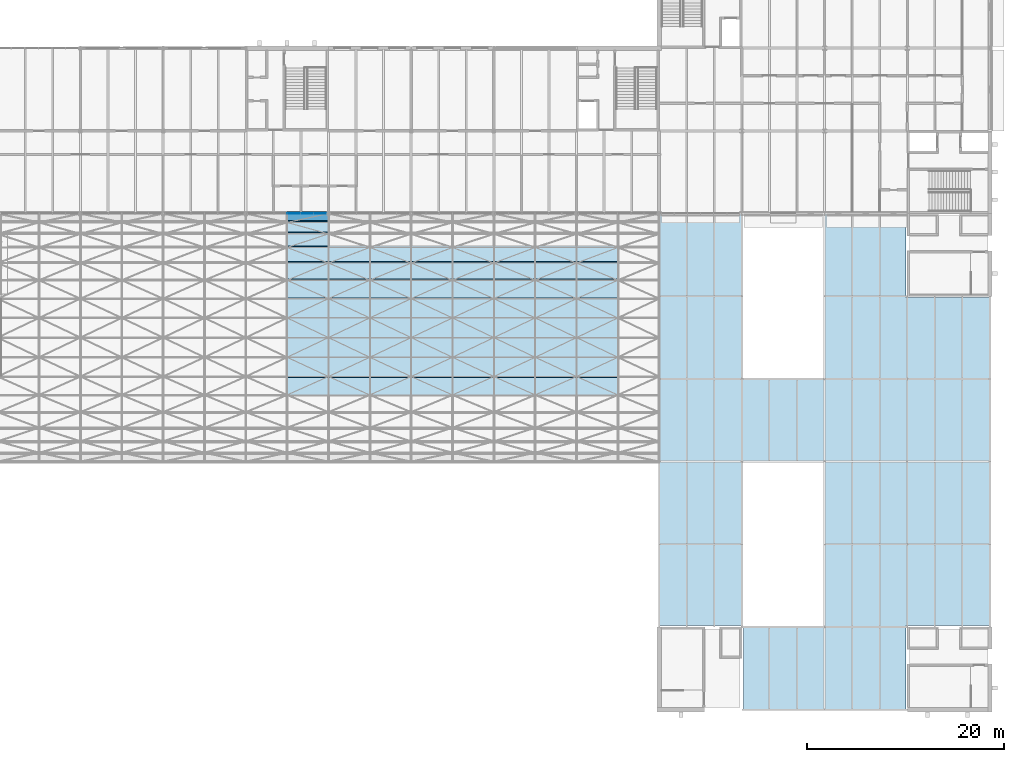
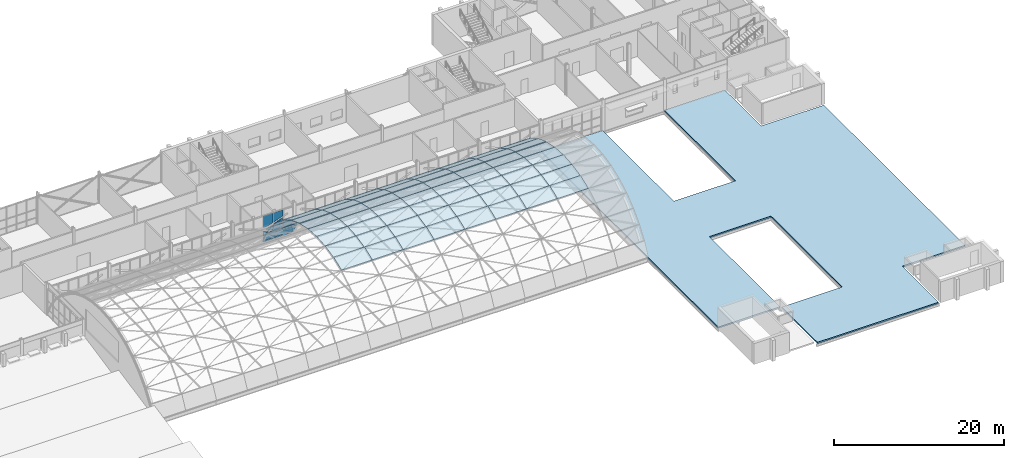
# One storey, part 76 of 121: 78 plates, 1 slab, 1 element without a shape of its own.
"""IFC4 building model written with IfcOpenShell, lengths in metres."""

from ifc_helpers import new_model, si_unit, direction, frame, origin, place, context, subcontext, project, spatial, polyline, outline, extrude, material, layer, layer_set, type_object, element, aggregate, save


model = new_model("IFC4")

# Units and contexts
model_context = context("Model", 3, precision=1e-05, world=origin(), true_north=direction((0.0, 1.0)))
body_context = subcontext(model_context, "Body", "Model", "MODEL_VIEW")
ifc_project = project(units=[si_unit("LENGTHUNIT", "METRE"), si_unit("AREAUNIT", "SQUARE_METRE"), si_unit("VOLUMEUNIT", "CUBIC_METRE"), si_unit("PLANEANGLEUNIT", "RADIAN"), si_unit("MASSUNIT", "GRAM", prefix="KILO")], contexts=[model_context])

# Site, building, storey
site_placement = place(None, origin())
site = spatial("IfcSite", under=ifc_project, at=site_placement, CompositionType="ELEMENT")
building_placement = place(site_placement, origin())
building = spatial("IfcBuilding", under=site, at=building_placement, Name="Ardhachandra Cancer Care Centre", CompositionType="ELEMENT")
storey_placement = place(building_placement, frame((0.0, 0.0, 9.0)))
storey = spatial("IfcBuildingStorey", under=building, at=storey_placement, Name="L02", CompositionType="ELEMENT", Elevation=9.0)

# Slab
ifc_material_1 = material(Name="Composite slab Concrete M30 on steel deck", Category="concrete")
ifc_layer_1 = layer(ifc_material_1, 0.199951171875)
ifc_layer_set_1 = layer_set([ifc_layer_1], Name="Composite slab Concrete M30 on steel deck")
slab_type = type_object("IfcSlabType", Name="Composite roof slab 200", PredefinedType="ROOF", material=ifc_layer_set_1)
slab_placement = place(storey_placement, frame((0.0, 0.0, -0.199951171875)))
element("IfcSlab", 1, at=slab_placement, inside=storey, type_object=slab_type, Name="Roof slab V4", PredefinedType="ROOF", context=body_context, shape_type="SweptSolid", body=[
    extrude(outline(polyline([(145.199951171875, 71.25), (136.64990234375, 71.25), (136.64990234375, 79.64990234375), (136.64990234375, 79.800048828125), (128.39990234375, 79.800048828125), (128.39990234375, 63.0), (120.0, 63.0), (120.0, 79.800048828125), (111.60009765625, 79.800048828125), (111.60009765625, 37.949951171875), (120.0, 37.949951171875), (120.0, 54.60009765625), (128.39990234375, 54.60009765625), (128.39990234375, 37.800048828125), (120.14990234375, 37.800048828125), (120.14990234375, 29.39990234375), (136.64990234375, 29.39990234375), (136.64990234375, 37.949951171875), (145.199951171875, 37.949951171875), (145.199951171875, 71.25)])), origin(), (0.0, 0.0, 1.0), 0.199951171875),
])

# Curtain wall, plates
ifc_material_2 = material(Name="Aluminium extrusion", Category="aluminium")
ifc_layer_2 = layer(ifc_material_2, 0.14990234375)
ifc_layer_set_2 = layer_set([ifc_layer_2], Name="Aluminium extrusion")
curtain_wall_type = type_object("IfcCurtainWallType", Name="Curtain wall run", PredefinedType="NOTDEFINED", material=ifc_layer_set_2)
curtain_wall_placement = place(storey_placement, origin())
curtain_wall = element("IfcCurtainWall", 2, at=curtain_wall_placement, inside=storey, type_object=curtain_wall_type, Name="Curtain wall L02 s/0069600_0079800", PredefinedType="NOTDEFINED")
ifc_material_3 = material(Name="Low-iron double-glazed unit")
ifc_layer_3 = layer(ifc_material_3, 0.028076171875)
ifc_layer_set_3 = layer_set([ifc_layer_3], Name="Low-iron double-glazed unit")
plate_type_1 = type_object("IfcPlateType", Name="Curtain wall glazing 28", PredefinedType="CURTAIN_PANEL", material=ifc_layer_set_3)
plate_1_placement = place(storey_placement, frame((73.830078125, 79.800048828125, 0.06005859375), z_axis=(0.0, 1.0, 0.0), x_axis=(0.0, 0.0, 1.0)))
plate_1 = element("IfcPlate", 3, at=plate_1_placement, type_object=plate_type_1, Name="CW panel 4.1", PredefinedType="CURTAIN_PANEL", context=body_context, shape_type="SweptSolid", body=[
    extrude(outline(polyline([(0.0, 0.0), (0.81005859375, 0.0), (0.81005859375, 1.2900390625), (0.0, 1.2900390625), (0.0, 0.0)])), origin(), (0.0, 0.0, 1.0), 0.028076171875),
])
plate_2_placement = place(storey_placement, frame((75.1201171875, 79.800048828125, 0.929931640625), z_axis=(0.0, 1.0, 0.0), x_axis=(-1.0, 0.0, 0.0)))
plate_2 = element("IfcPlate", 4, at=plate_2_placement, type_object=plate_type_1, Name="CW panel 4.2", PredefinedType="CURTAIN_PANEL", context=body_context, shape_type="SweptSolid", body=[
    extrude(outline(polyline([(0.0, 0.0), (1.2900390625, 0.0), (1.2900390625, 0.718994140625), (0.0, 0.16943359375), (0.0, 0.0)])), origin(), (0.0, 0.0, 1.0), 0.028076171875),
])
plate_3_placement = place(storey_placement, frame((75.1201171875, 79.800048828125, 2.070068359375), z_axis=(0.0, 1.0, 0.0), x_axis=(0.0, 0.0, -1.0)))
plate_3 = element("IfcPlate", 5, at=plate_3_placement, type_object=plate_type_1, Name="CW panel 4.2", PredefinedType="CURTAIN_PANEL", context=body_context, shape_type="SweptSolid", body=[
    extrude(outline(polyline([(0.0, 0.0), (0.716064453125, 0.0), (0.285888671875, 1.009765625), (0.0, 0.2763671875), (0.0, 0.0)])), frame((0.0, 0.0, -0.028076171875)), (0.0, 0.0, 1.0), 0.028076171875),
])
plate_4_placement = place(storey_placement, frame((73.830078125, 79.800048828125, 2.1298828125), z_axis=(0.0, 1.0, 0.0), x_axis=(0.0, 0.0, 1.0)))
plate_4 = element("IfcPlate", 6, at=plate_4_placement, type_object=plate_type_1, Name="CW panel 4.3", PredefinedType="CURTAIN_PANEL", context=body_context, shape_type="SweptSolid", body=[
    extrude(outline(polyline([(0.0, 0.0), (1.696044921875, 0.0), (1.696044921875, 1.2900390625), (0.29931640625, 1.2900390625), (0.0, 0.5224609375), (0.0, 0.0)])), origin(), (0.0, 0.0, 1.0), 0.028076171875),
])
plate_5_placement = place(storey_placement, frame((76.469970703125, 79.800048828125, 0.06005859375), z_axis=(0.0, 1.0, 0.0), x_axis=(-1.0, 0.0, 0.0)))
plate_5 = element("IfcPlate", 7, at=plate_5_placement, type_object=plate_type_1, Name="CW panel 5.1", PredefinedType="CURTAIN_PANEL", context=body_context, shape_type="SweptSolid", body=[
    extrude(outline(polyline([(0.0, 0.0), (1.2900390625, 0.0), (1.2900390625, 0.81005859375), (0.8115234375, 0.81005859375), (0.0, 0.46435546875), (0.0, 0.0)])), origin(), (0.0, 0.0, 1.0), 0.028076171875),
])
plate_6_placement = place(storey_placement, frame((75.179931640625, 79.800048828125, 2.070068359375), z_axis=(0.0, 1.0, 0.0), x_axis=(1.0, 0.0, 0.0)))
plate_6 = element("IfcPlate", 8, at=plate_6_placement, type_object=plate_type_1, Name="CW panel 5.2", PredefinedType="CURTAIN_PANEL", context=body_context, shape_type="SweptSolid", body=[
    extrude(outline(polyline([(0.0, 0.0), (1.2900390625, 0.0), (1.2900390625, 1.14013671875), (0.935546875, 1.14013671875), (0.0, 0.74169921875), (0.0, 0.0)])), origin(), (0.0, 0.0, 1.0), 0.028076171875),
])
plate_7_placement = place(storey_placement, frame((76.469970703125, 79.800048828125, 2.1298828125), z_axis=(0.0, 1.0, 0.0), x_axis=(-1.0, 0.0, 0.0)))
plate_7 = element("IfcPlate", 9, at=plate_7_placement, type_object=plate_type_1, Name="CW panel 5.3", PredefinedType="CURTAIN_PANEL", context=body_context, shape_type="SweptSolid", body=[
    extrude(outline(polyline([(0.0, 0.0), (1.2900390625, 0.0), (1.2900390625, 0.0712890625), (0.0, 0.573974609375), (0.0, 0.0)])), origin(), (0.0, 0.0, 1.0), 0.028076171875),
])
plate_8_placement = place(storey_placement, frame((75.179931640625, 79.800048828125, 3.825927734375), z_axis=(0.0, 1.0, 0.0), x_axis=(1.0, 0.0, 0.0)))
plate_8 = element("IfcPlate", 10, at=plate_8_placement, type_object=plate_type_1, Name="CW panel 5.3", PredefinedType="CURTAIN_PANEL", context=body_context, shape_type="SweptSolid", body=[
    extrude(outline(polyline([(0.0, 0.0), (1.2900390625, 0.0), (1.2900390625, 0.87060546875), (0.0, 1.373291015625), (0.0, 0.0)])), frame((0.0, 0.0, -0.028076171875)), (0.0, 0.0, 1.0), 0.028076171875),
])
plate_9_placement = place(storey_placement, frame((76.530029296875, 79.800048828125, 0.8701171875), z_axis=(0.0, 1.0, 0.0), x_axis=(1.0, 0.0, 0.0)))
plate_9 = element("IfcPlate", 11, at=plate_9_placement, type_object=plate_type_1, Name="CW panel 6.1", PredefinedType="CURTAIN_PANEL", context=body_context, shape_type="SweptSolid", body=[
    extrude(outline(polyline([(0.0, 0.0), (1.260009765625, 0.0), (1.260009765625, 0.6533203125), (0.0, 0.11669921875), (0.0, 0.0)])), origin(), (0.0, 0.0, 1.0), 0.028076171875),
])
plate_10_placement = place(storey_placement, frame((76.530029296875, 79.800048828125, 0.06005859375), z_axis=(0.0, 1.0, 0.0), x_axis=(0.0, 0.0, 1.0)))
plate_10 = element("IfcPlate", 12, at=plate_10_placement, type_object=plate_type_1, Name="CW panel 6.1", PredefinedType="CURTAIN_PANEL", context=body_context, shape_type="SweptSolid", body=[
    extrude(outline(polyline([(0.0, 0.0), (0.438720703125, 0.0), (0.0, 1.0302734375), (0.0, 0.0)])), frame((0.0, 0.0, -0.028076171875)), (0.0, 0.0, 1.0), 0.028076171875),
])
plate_11_placement = place(storey_placement, frame((76.530029296875, 79.800048828125, 0.929931640625), z_axis=(0.0, 1.0, 0.0), x_axis=(0.0, 0.0, 1.0)))
plate_11 = element("IfcPlate", 13, at=plate_11_placement, type_object=plate_type_1, Name="CW panel 6.2", PredefinedType="CURTAIN_PANEL", context=body_context, shape_type="SweptSolid", body=[
    extrude(outline(polyline([(0.0, 0.0), (1.14013671875, 0.0), (1.14013671875, 1.260009765625), (0.0, 1.260009765625), (0.0, 0.0)])), origin(), (0.0, 0.0, 1.0), 0.028076171875),
])
aggregate(curtain_wall, [plate_1, plate_2, plate_3, plate_4, plate_5, plate_6, plate_7, plate_8, plate_9, plate_10, plate_11])

# Plates
ifc_material_4 = material(Name="Laminated heat-strengthened double-glazed unit")
ifc_layer_4 = layer(ifc_material_4, 0.035888671875)
ifc_layer_set_4 = layer_set([ifc_layer_4], Name="Laminated heat-strengthened double-glazed unit")
plate_type_2 = type_object("IfcPlateType", Name="Gridshell glazing 36", PredefinedType="SHEET", material=ifc_layer_set_4)
for number, where, z_axis, x_axis, name in (
    (14, (73.800048828125, 63.2177734375, 7.93359375), (0.0, -0.218735449514, 0.975784199055), (1.0, 0.0, 0.0), "Glazed cell H 8.7"),
    (15, (73.800048828125, 65.191650390625, 8.374755859375), (0.0, -0.073436541071, 0.997299891926), (1.0, 0.0, 0.0), "Glazed cell H 8.8"),
    (16, (73.800048828125, 67.208984375, 8.52197265625), (0.0, 0.073436541071, 0.997299891926), (1.0, 0.0, 0.0), "Glazed cell H 8.9"),
):
    element("IfcPlate", number, at=place(storey_placement, frame(where, z_axis=z_axis, x_axis=x_axis)), inside=storey, type_object=plate_type_2, Name=name, PredefinedType="SHEET", context=body_context, shape_type="SweptSolid", body=[
        extrude(outline(polyline([(0.0, 0.0), (4.199951171875, 0.0), (4.199951171875, 2.004638671875), (0.0, 2.004638671875), (0.0, 0.0)])), origin(), (0.0, 0.0, 1.0), 0.035888671875),
    ])
plate_12_placement = place(storey_placement, frame((73.800048828125, 69.22607421875, 8.3720703125), z_axis=(0.0, 0.218709457766, 0.9757900251), x_axis=(1.0, 0.0, 0.0)))
element("IfcPlate", 17, at=plate_12_placement, inside=storey, type_object=plate_type_2, Name="Glazed cell H 8.10", PredefinedType="SHEET", context=body_context, shape_type="SweptSolid", body=[
    extrude(outline(polyline([(0.0, 0.0), (4.199951171875, 0.0), (4.199951171875, 2.0048828125), (0.0, 2.0048828125), (0.0, 0.0)])), origin(), (0.0, 0.0, 1.0), 0.035888671875),
])
for number, where, z_axis, x_axis, name in (
    (18, (78.0, 63.2177734375, 7.93359375), (0.0, -0.218735449514, 0.975784199055), (1.0, 0.0, 0.0), "Glazed cell H 9.7"),
    (19, (78.0, 65.191650390625, 8.374755859375), (0.0, -0.073436541071, 0.997299891926), (1.0, 0.0, 0.0), "Glazed cell H 9.8"),
    (20, (78.0, 67.208984375, 8.52197265625), (0.0, 0.073436541071, 0.997299891926), (1.0, 0.0, 0.0), "Glazed cell H 9.9"),
):
    element("IfcPlate", number, at=place(storey_placement, frame(where, z_axis=z_axis, x_axis=x_axis)), inside=storey, type_object=plate_type_2, Name=name, PredefinedType="SHEET", context=body_context, shape_type="SweptSolid", body=[
        extrude(outline(polyline([(0.0, 0.0), (4.199951171875, 0.0), (4.199951171875, 2.004638671875), (0.0, 2.004638671875), (0.0, 0.0)])), origin(), (0.0, 0.0, 1.0), 0.035888671875),
    ])
plate_13_placement = place(storey_placement, frame((78.0, 69.22607421875, 8.3720703125), z_axis=(0.0, 0.218709457766, 0.9757900251), x_axis=(1.0, 0.0, 0.0)))
element("IfcPlate", 21, at=plate_13_placement, inside=storey, type_object=plate_type_2, Name="Glazed cell H 9.10", PredefinedType="SHEET", context=body_context, shape_type="SweptSolid", body=[
    extrude(outline(polyline([(0.0, 0.0), (4.199951171875, 0.0), (4.199951171875, 2.0048828125), (0.0, 2.0048828125), (0.0, 0.0)])), origin(), (0.0, 0.0, 1.0), 0.035888671875),
])
for number, where, z_axis, x_axis, name in (
    (22, (82.199951171875, 63.2177734375, 7.93359375), (0.0, -0.218735449514, 0.975784199055), (1.0, 0.0, 0.0), "Glazed cell H 10.7"),
    (23, (82.199951171875, 65.191650390625, 8.374755859375), (0.0, -0.073436541071, 0.997299891926), (1.0, 0.0, 0.0), "Glazed cell H 10.8"),
    (24, (82.199951171875, 67.208984375, 8.52197265625), (0.0, 0.073436541071, 0.997299891926), (1.0, 0.0, 0.0), "Glazed cell H 10.9"),
):
    element("IfcPlate", number, at=place(storey_placement, frame(where, z_axis=z_axis, x_axis=x_axis)), inside=storey, type_object=plate_type_2, Name=name, PredefinedType="SHEET", context=body_context, shape_type="SweptSolid", body=[
        extrude(outline(polyline([(0.0, 0.0), (4.199951171875, 0.0), (4.199951171875, 2.004638671875), (0.0, 2.004638671875), (0.0, 0.0)])), origin(), (0.0, 0.0, 1.0), 0.035888671875),
    ])
plate_14_placement = place(storey_placement, frame((82.199951171875, 69.22607421875, 8.3720703125), z_axis=(0.0, 0.218709457766, 0.9757900251), x_axis=(1.0, 0.0, 0.0)))
element("IfcPlate", 25, at=plate_14_placement, inside=storey, type_object=plate_type_2, Name="Glazed cell H 10.10", PredefinedType="SHEET", context=body_context, shape_type="SweptSolid", body=[
    extrude(outline(polyline([(0.0, 0.0), (4.199951171875, 0.0), (4.199951171875, 2.0048828125), (0.0, 2.0048828125), (0.0, 0.0)])), origin(), (0.0, 0.0, 1.0), 0.035888671875),
])
for number, where, z_axis, x_axis, name in (
    (26, (86.39990234375, 63.2177734375, 7.93359375), (0.0, -0.218735449514, 0.975784199055), (1.0, 0.0, 0.0), "Glazed cell H 11.7"),
    (27, (86.39990234375, 65.191650390625, 8.374755859375), (0.0, -0.073436541071, 0.997299891926), (1.0, 0.0, 0.0), "Glazed cell H 11.8"),
    (28, (86.39990234375, 67.208984375, 8.52197265625), (0.0, 0.073436541071, 0.997299891926), (1.0, 0.0, 0.0), "Glazed cell H 11.9"),
):
    element("IfcPlate", number, at=place(storey_placement, frame(where, z_axis=z_axis, x_axis=x_axis)), inside=storey, type_object=plate_type_2, Name=name, PredefinedType="SHEET", context=body_context, shape_type="SweptSolid", body=[
        extrude(outline(polyline([(0.0, 0.0), (4.2001953125, 0.0), (4.2001953125, 2.004638671875), (0.0, 2.004638671875), (0.0, 0.0)])), origin(), (0.0, 0.0, 1.0), 0.035888671875),
    ])
plate_15_placement = place(storey_placement, frame((86.39990234375, 69.22607421875, 8.3720703125), z_axis=(0.0, 0.218709457766, 0.9757900251), x_axis=(1.0, 0.0, 0.0)))
element("IfcPlate", 29, at=plate_15_placement, inside=storey, type_object=plate_type_2, Name="Glazed cell H 11.10", PredefinedType="SHEET", context=body_context, shape_type="SweptSolid", body=[
    extrude(outline(polyline([(0.0, 0.0), (4.2001953125, 0.0), (4.2001953125, 2.0048828125), (0.0, 2.0048828125), (0.0, 0.0)])), origin(), (0.0, 0.0, 1.0), 0.035888671875),
])
for number, where, z_axis, x_axis, name in (
    (30, (90.60009765625, 63.2177734375, 7.93359375), (0.0, -0.218735449514, 0.975784199055), (1.0, 0.0, 0.0), "Glazed cell H 12.7"),
    (31, (90.60009765625, 65.191650390625, 8.374755859375), (0.0, -0.073436541071, 0.997299891926), (1.0, 0.0, 0.0), "Glazed cell H 12.8"),
    (32, (90.60009765625, 67.208984375, 8.52197265625), (0.0, 0.073436541071, 0.997299891926), (1.0, 0.0, 0.0), "Glazed cell H 12.9"),
):
    element("IfcPlate", number, at=place(storey_placement, frame(where, z_axis=z_axis, x_axis=x_axis)), inside=storey, type_object=plate_type_2, Name=name, PredefinedType="SHEET", context=body_context, shape_type="SweptSolid", body=[
        extrude(outline(polyline([(0.0, 0.0), (4.199951171875, 0.0), (4.199951171875, 2.004638671875), (0.0, 2.004638671875), (0.0, 0.0)])), origin(), (0.0, 0.0, 1.0), 0.035888671875),
    ])
plate_16_placement = place(storey_placement, frame((90.60009765625, 69.22607421875, 8.3720703125), z_axis=(0.0, 0.218709457766, 0.9757900251), x_axis=(1.0, 0.0, 0.0)))
element("IfcPlate", 33, at=plate_16_placement, inside=storey, type_object=plate_type_2, Name="Glazed cell H 12.10", PredefinedType="SHEET", context=body_context, shape_type="SweptSolid", body=[
    extrude(outline(polyline([(0.0, 0.0), (4.199951171875, 0.0), (4.199951171875, 2.0048828125), (0.0, 2.0048828125), (0.0, 0.0)])), origin(), (0.0, 0.0, 1.0), 0.035888671875),
])
for number, where, z_axis, x_axis, name in (
    (34, (94.800048828125, 63.2177734375, 7.93359375), (0.0, -0.218735449514, 0.975784199055), (1.0, 0.0, 0.0), "Glazed cell H 13.7"),
    (35, (94.800048828125, 65.191650390625, 8.374755859375), (0.0, -0.073436541071, 0.997299891926), (1.0, 0.0, 0.0), "Glazed cell H 13.8"),
    (36, (94.800048828125, 67.208984375, 8.52197265625), (0.0, 0.073436541071, 0.997299891926), (1.0, 0.0, 0.0), "Glazed cell H 13.9"),
):
    element("IfcPlate", number, at=place(storey_placement, frame(where, z_axis=z_axis, x_axis=x_axis)), inside=storey, type_object=plate_type_2, Name=name, PredefinedType="SHEET", context=body_context, shape_type="SweptSolid", body=[
        extrude(outline(polyline([(0.0, 0.0), (4.199951171875, 0.0), (4.199951171875, 2.004638671875), (0.0, 2.004638671875), (0.0, 0.0)])), origin(), (0.0, 0.0, 1.0), 0.035888671875),
    ])
plate_17_placement = place(storey_placement, frame((94.800048828125, 69.22607421875, 8.3720703125), z_axis=(0.0, 0.218709457766, 0.9757900251), x_axis=(1.0, 0.0, 0.0)))
element("IfcPlate", 37, at=plate_17_placement, inside=storey, type_object=plate_type_2, Name="Glazed cell H 13.10", PredefinedType="SHEET", context=body_context, shape_type="SweptSolid", body=[
    extrude(outline(polyline([(0.0, 0.0), (4.199951171875, 0.0), (4.199951171875, 2.0048828125), (0.0, 2.0048828125), (0.0, 0.0)])), origin(), (0.0, 0.0, 1.0), 0.035888671875),
])
for number, where, z_axis, x_axis, name in (
    (38, (99.0, 63.2177734375, 7.93359375), (0.0, -0.218735449514, 0.975784199055), (1.0, 0.0, 0.0), "Glazed cell H 14.7"),
    (39, (99.0, 65.191650390625, 8.374755859375), (0.0, -0.073436541071, 0.997299891926), (1.0, 0.0, 0.0), "Glazed cell H 14.8"),
    (40, (99.0, 67.208984375, 8.52197265625), (0.0, 0.073436541071, 0.997299891926), (1.0, 0.0, 0.0), "Glazed cell H 14.9"),
):
    element("IfcPlate", number, at=place(storey_placement, frame(where, z_axis=z_axis, x_axis=x_axis)), inside=storey, type_object=plate_type_2, Name=name, PredefinedType="SHEET", context=body_context, shape_type="SweptSolid", body=[
        extrude(outline(polyline([(0.0, 0.0), (4.199951171875, 0.0), (4.199951171875, 2.004638671875), (0.0, 2.004638671875), (0.0, 0.0)])), origin(), (0.0, 0.0, 1.0), 0.035888671875),
    ])
plate_18_placement = place(storey_placement, frame((99.0, 69.22607421875, 8.3720703125), z_axis=(0.0, 0.218709457766, 0.9757900251), x_axis=(1.0, 0.0, 0.0)))
element("IfcPlate", 41, at=plate_18_placement, inside=storey, type_object=plate_type_2, Name="Glazed cell H 14.10", PredefinedType="SHEET", context=body_context, shape_type="SweptSolid", body=[
    extrude(outline(polyline([(0.0, 0.0), (4.199951171875, 0.0), (4.199951171875, 2.0048828125), (0.0, 2.0048828125), (0.0, 0.0)])), origin(), (0.0, 0.0, 1.0), 0.035888671875),
])
for number, where, z_axis, x_axis, name in (
    (42, (103.199951171875, 63.2177734375, 7.93359375), (0.0, -0.218735449514, 0.975784199055), (1.0, 0.0, 0.0), "Glazed cell H 15.7"),
    (43, (103.199951171875, 65.191650390625, 8.374755859375), (0.0, -0.073436541071, 0.997299891926), (1.0, 0.0, 0.0), "Glazed cell H 15.8"),
    (44, (103.199951171875, 67.208984375, 8.52197265625), (0.0, 0.073436541071, 0.997299891926), (1.0, 0.0, 0.0), "Glazed cell H 15.9"),
):
    element("IfcPlate", number, at=place(storey_placement, frame(where, z_axis=z_axis, x_axis=x_axis)), inside=storey, type_object=plate_type_2, Name=name, PredefinedType="SHEET", context=body_context, shape_type="SweptSolid", body=[
        extrude(outline(polyline([(0.0, 0.0), (4.199951171875, 0.0), (4.199951171875, 2.004638671875), (0.0, 2.004638671875), (0.0, 0.0)])), origin(), (0.0, 0.0, 1.0), 0.035888671875),
    ])
plate_19_placement = place(storey_placement, frame((103.199951171875, 69.22607421875, 8.3720703125), z_axis=(0.0, 0.218709457766, 0.9757900251), x_axis=(1.0, 0.0, 0.0)))
element("IfcPlate", 45, at=plate_19_placement, inside=storey, type_object=plate_type_2, Name="Glazed cell H 15.10", PredefinedType="SHEET", context=body_context, shape_type="SweptSolid", body=[
    extrude(outline(polyline([(0.0, 0.0), (4.199951171875, 0.0), (4.199951171875, 2.0048828125), (0.0, 2.0048828125), (0.0, 0.0)])), origin(), (0.0, 0.0, 1.0), 0.035888671875),
])
ifc_material_5 = material(Name="Insulated metal roof panel (galvalume skins, PIR core)")
ifc_layer_5 = layer(ifc_material_5, 0.10009765625)
ifc_layer_set_5 = layer_set([ifc_layer_5], Name="Insulated metal roof panel (galvalume skins, PIR core)")
plate_type_3 = type_object("IfcPlateType", Name="Gridshell insulated panel 100", PredefinedType="SHEET", material=ifc_layer_set_5)
for number, where, z_axis, x_axis, name in (
    (46, (73.800048828125, 61.32958984375, 7.2080078125), (0.0, -0.359370750226, 0.93319486919), (1.0, 0.0, 0.0), "Roof cell H 8.6"),
    (47, (73.800048828125, 71.199462890625, 7.928466796875), (0.0, 0.359370750226, 0.93319486919), (1.0, 0.0, 0.0), "Roof cell H 8.11"),
):
    element("IfcPlate", number, at=place(storey_placement, frame(where, z_axis=z_axis, x_axis=x_axis)), inside=storey, type_object=plate_type_3, Name=name, PredefinedType="SHEET", context=body_context, shape_type="SweptSolid", body=[
        extrude(outline(polyline([(0.0, 0.0), (4.199951171875, 0.0), (4.199951171875, 2.0048828125), (0.0, 2.0048828125), (0.0, 0.0)])), origin(), (0.0, 0.0, 1.0), 0.10009765625),
    ])
plate_20_placement = place(storey_placement, frame((73.800048828125, 73.086669921875, 7.200439453125), z_axis=(0.0, 0.492133501312, 0.870519739515), x_axis=(1.0, 0.0, 0.0)))
element("IfcPlate", 48, at=plate_20_placement, inside=storey, type_object=plate_type_3, Name="Roof cell H 8.12", PredefinedType="SHEET", context=body_context, shape_type="SweptSolid", body=[
    extrude(outline(polyline([(0.0, 0.0), (4.199951171875, 0.0), (4.199951171875, 2.004638671875), (0.0, 2.004638671875), (0.0, 0.0)])), origin(), (0.0, 0.0, 1.0), 0.10009765625),
])
for number, where, z_axis, x_axis, name in (
    (49, (73.800048828125, 74.8466796875, 6.203857421875), (0.0, 0.614244074324, 0.789116098656), (1.0, 0.0, 0.0), "Roof cell H 8.13"),
    (50, (73.800048828125, 76.44189453125, 4.96044921875), (0.0, 0.723236652239, 0.690600278641), (1.0, 0.0, 0.0), "Roof cell H 8.14"),
):
    element("IfcPlate", number, at=place(storey_placement, frame(where, z_axis=z_axis, x_axis=x_axis)), inside=storey, type_object=plate_type_3, Name=name, PredefinedType="SHEET", context=body_context, shape_type="SweptSolid", body=[
        extrude(outline(polyline([(0.0, 0.0), (4.199951171875, 0.0), (4.199951171875, 2.0048828125), (0.0, 2.0048828125), (0.0, 0.0)])), origin(), (0.0, 0.0, 1.0), 0.10009765625),
    ])
for number, where, z_axis, x_axis, name in (
    (51, (73.800048828125, 77.837890625, 3.49658203125), (0.0, 0.816660624076, 0.577118207202), (1.0, 0.0, 0.0), "Roof cell H 8.15"),
    (52, (73.800048828125, 79.004150390625, 1.843994140625), (0.0, 0.892298140355, 0.451446595645), (1.0, 0.0, 0.0), "Roof cell H 8.16"),
):
    element("IfcPlate", number, at=place(storey_placement, frame(where, z_axis=z_axis, x_axis=x_axis)), inside=storey, type_object=plate_type_3, Name=name, PredefinedType="SHEET", context=body_context, shape_type="SweptSolid", body=[
        extrude(outline(polyline([(0.0, 0.0), (4.199951171875, 0.0), (4.199951171875, 2.004638671875), (0.0, 2.004638671875), (0.0, 0.0)])), origin(), (0.0, 0.0, 1.0), 0.10009765625),
    ])
for number, where, z_axis, x_axis, name in (
    (53, (78.0, 61.32958984375, 7.2080078125), (0.0, -0.359370750226, 0.93319486919), (1.0, 0.0, 0.0), "Roof cell H 9.6"),
    (54, (78.0, 71.199462890625, 7.928466796875), (0.0, 0.359370750226, 0.93319486919), (1.0, 0.0, 0.0), "Roof cell H 9.11"),
):
    element("IfcPlate", number, at=place(storey_placement, frame(where, z_axis=z_axis, x_axis=x_axis)), inside=storey, type_object=plate_type_3, Name=name, PredefinedType="SHEET", context=body_context, shape_type="SweptSolid", body=[
        extrude(outline(polyline([(0.0, 0.0), (4.199951171875, 0.0), (4.199951171875, 2.0048828125), (0.0, 2.0048828125), (0.0, 0.0)])), origin(), (0.0, 0.0, 1.0), 0.10009765625),
    ])
plate_21_placement = place(storey_placement, frame((78.0, 73.086669921875, 7.200439453125), z_axis=(0.0, 0.492133501312, 0.870519739515), x_axis=(1.0, 0.0, 0.0)))
element("IfcPlate", 55, at=plate_21_placement, inside=storey, type_object=plate_type_3, Name="Roof cell H 9.12", PredefinedType="SHEET", context=body_context, shape_type="SweptSolid", body=[
    extrude(outline(polyline([(0.0, 0.0), (4.199951171875, 0.0), (4.199951171875, 2.004638671875), (0.0, 2.004638671875), (0.0, 0.0)])), origin(), (0.0, 0.0, 1.0), 0.10009765625),
])
for number, where, z_axis, x_axis, name in (
    (56, (78.0, 74.8466796875, 6.203857421875), (0.0, 0.614244074324, 0.789116098656), (1.0, 0.0, 0.0), "Roof cell H 9.13"),
    (57, (82.199951171875, 61.32958984375, 7.2080078125), (0.0, -0.359370750226, 0.93319486919), (1.0, 0.0, 0.0), "Roof cell H 10.6"),
    (58, (82.199951171875, 71.199462890625, 7.928466796875), (0.0, 0.359370750226, 0.93319486919), (1.0, 0.0, 0.0), "Roof cell H 10.11"),
):
    element("IfcPlate", number, at=place(storey_placement, frame(where, z_axis=z_axis, x_axis=x_axis)), inside=storey, type_object=plate_type_3, Name=name, PredefinedType="SHEET", context=body_context, shape_type="SweptSolid", body=[
        extrude(outline(polyline([(0.0, 0.0), (4.199951171875, 0.0), (4.199951171875, 2.0048828125), (0.0, 2.0048828125), (0.0, 0.0)])), origin(), (0.0, 0.0, 1.0), 0.10009765625),
    ])
plate_22_placement = place(storey_placement, frame((82.199951171875, 73.086669921875, 7.200439453125), z_axis=(0.0, 0.492133501312, 0.870519739515), x_axis=(1.0, 0.0, 0.0)))
element("IfcPlate", 59, at=plate_22_placement, inside=storey, type_object=plate_type_3, Name="Roof cell H 10.12", PredefinedType="SHEET", context=body_context, shape_type="SweptSolid", body=[
    extrude(outline(polyline([(0.0, 0.0), (4.199951171875, 0.0), (4.199951171875, 2.004638671875), (0.0, 2.004638671875), (0.0, 0.0)])), origin(), (0.0, 0.0, 1.0), 0.10009765625),
])
plate_23_placement = place(storey_placement, frame((82.199951171875, 74.8466796875, 6.203857421875), z_axis=(0.0, 0.614244074324, 0.789116098656), x_axis=(1.0, 0.0, 0.0)))
element("IfcPlate", 60, at=plate_23_placement, inside=storey, type_object=plate_type_3, Name="Roof cell H 10.13", PredefinedType="SHEET", context=body_context, shape_type="SweptSolid", body=[
    extrude(outline(polyline([(0.0, 0.0), (4.199951171875, 0.0), (4.199951171875, 2.0048828125), (0.0, 2.0048828125), (0.0, 0.0)])), origin(), (0.0, 0.0, 1.0), 0.10009765625),
])
for number, where, z_axis, x_axis, name in (
    (61, (86.39990234375, 61.32958984375, 7.2080078125), (0.0, -0.359370750226, 0.93319486919), (1.0, 0.0, 0.0), "Roof cell H 11.6"),
    (62, (86.39990234375, 71.199462890625, 7.928466796875), (0.0, 0.359370750226, 0.93319486919), (1.0, 0.0, 0.0), "Roof cell H 11.11"),
):
    element("IfcPlate", number, at=place(storey_placement, frame(where, z_axis=z_axis, x_axis=x_axis)), inside=storey, type_object=plate_type_3, Name=name, PredefinedType="SHEET", context=body_context, shape_type="SweptSolid", body=[
        extrude(outline(polyline([(0.0, 0.0), (4.2001953125, 0.0), (4.2001953125, 2.0048828125), (0.0, 2.0048828125), (0.0, 0.0)])), origin(), (0.0, 0.0, 1.0), 0.10009765625),
    ])
plate_24_placement = place(storey_placement, frame((86.39990234375, 73.086669921875, 7.200439453125), z_axis=(0.0, 0.492133501312, 0.870519739515), x_axis=(1.0, 0.0, 0.0)))
element("IfcPlate", 63, at=plate_24_placement, inside=storey, type_object=plate_type_3, Name="Roof cell H 11.12", PredefinedType="SHEET", context=body_context, shape_type="SweptSolid", body=[
    extrude(outline(polyline([(0.0, 0.0), (4.2001953125, 0.0), (4.2001953125, 2.004638671875), (0.0, 2.004638671875), (0.0, 0.0)])), origin(), (0.0, 0.0, 1.0), 0.10009765625),
])
plate_25_placement = place(storey_placement, frame((86.39990234375, 74.8466796875, 6.203857421875), z_axis=(0.0, 0.614244074324, 0.789116098656), x_axis=(1.0, 0.0, 0.0)))
element("IfcPlate", 64, at=plate_25_placement, inside=storey, type_object=plate_type_3, Name="Roof cell H 11.13", PredefinedType="SHEET", context=body_context, shape_type="SweptSolid", body=[
    extrude(outline(polyline([(0.0, 0.0), (4.2001953125, 0.0), (4.2001953125, 2.0048828125), (0.0, 2.0048828125), (0.0, 0.0)])), origin(), (0.0, 0.0, 1.0), 0.10009765625),
])
for number, where, z_axis, x_axis, name in (
    (65, (90.60009765625, 61.32958984375, 7.2080078125), (0.0, -0.359370750226, 0.93319486919), (1.0, 0.0, 0.0), "Roof cell H 12.6"),
    (66, (90.60009765625, 71.199462890625, 7.928466796875), (0.0, 0.359370750226, 0.93319486919), (1.0, 0.0, 0.0), "Roof cell H 12.11"),
):
    element("IfcPlate", number, at=place(storey_placement, frame(where, z_axis=z_axis, x_axis=x_axis)), inside=storey, type_object=plate_type_3, Name=name, PredefinedType="SHEET", context=body_context, shape_type="SweptSolid", body=[
        extrude(outline(polyline([(0.0, 0.0), (4.199951171875, 0.0), (4.199951171875, 2.0048828125), (0.0, 2.0048828125), (0.0, 0.0)])), origin(), (0.0, 0.0, 1.0), 0.10009765625),
    ])
plate_26_placement = place(storey_placement, frame((90.60009765625, 73.086669921875, 7.200439453125), z_axis=(0.0, 0.492133501312, 0.870519739515), x_axis=(1.0, 0.0, 0.0)))
element("IfcPlate", 67, at=plate_26_placement, inside=storey, type_object=plate_type_3, Name="Roof cell H 12.12", PredefinedType="SHEET", context=body_context, shape_type="SweptSolid", body=[
    extrude(outline(polyline([(0.0, 0.0), (4.199951171875, 0.0), (4.199951171875, 2.004638671875), (0.0, 2.004638671875), (0.0, 0.0)])), origin(), (0.0, 0.0, 1.0), 0.10009765625),
])
for number, where, z_axis, x_axis, name in (
    (68, (90.60009765625, 74.8466796875, 6.203857421875), (0.0, 0.614244074324, 0.789116098656), (1.0, 0.0, 0.0), "Roof cell H 12.13"),
    (69, (94.800048828125, 61.32958984375, 7.2080078125), (0.0, -0.359370750226, 0.93319486919), (1.0, 0.0, 0.0), "Roof cell H 13.6"),
    (70, (94.800048828125, 71.199462890625, 7.928466796875), (0.0, 0.359370750226, 0.93319486919), (1.0, 0.0, 0.0), "Roof cell H 13.11"),
):
    element("IfcPlate", number, at=place(storey_placement, frame(where, z_axis=z_axis, x_axis=x_axis)), inside=storey, type_object=plate_type_3, Name=name, PredefinedType="SHEET", context=body_context, shape_type="SweptSolid", body=[
        extrude(outline(polyline([(0.0, 0.0), (4.199951171875, 0.0), (4.199951171875, 2.0048828125), (0.0, 2.0048828125), (0.0, 0.0)])), origin(), (0.0, 0.0, 1.0), 0.10009765625),
    ])
plate_27_placement = place(storey_placement, frame((94.800048828125, 73.086669921875, 7.200439453125), z_axis=(0.0, 0.492133501312, 0.870519739515), x_axis=(1.0, 0.0, 0.0)))
element("IfcPlate", 71, at=plate_27_placement, inside=storey, type_object=plate_type_3, Name="Roof cell H 13.12", PredefinedType="SHEET", context=body_context, shape_type="SweptSolid", body=[
    extrude(outline(polyline([(0.0, 0.0), (4.199951171875, 0.0), (4.199951171875, 2.004638671875), (0.0, 2.004638671875), (0.0, 0.0)])), origin(), (0.0, 0.0, 1.0), 0.10009765625),
])
for number, where, z_axis, x_axis, name in (
    (72, (94.800048828125, 74.8466796875, 6.203857421875), (0.0, 0.614244074324, 0.789116098656), (1.0, 0.0, 0.0), "Roof cell H 13.13"),
    (73, (99.0, 61.32958984375, 7.2080078125), (0.0, -0.359370750226, 0.93319486919), (1.0, 0.0, 0.0), "Roof cell H 14.6"),
    (74, (99.0, 71.199462890625, 7.928466796875), (0.0, 0.359370750226, 0.93319486919), (1.0, 0.0, 0.0), "Roof cell H 14.11"),
):
    element("IfcPlate", number, at=place(storey_placement, frame(where, z_axis=z_axis, x_axis=x_axis)), inside=storey, type_object=plate_type_3, Name=name, PredefinedType="SHEET", context=body_context, shape_type="SweptSolid", body=[
        extrude(outline(polyline([(0.0, 0.0), (4.199951171875, 0.0), (4.199951171875, 2.0048828125), (0.0, 2.0048828125), (0.0, 0.0)])), origin(), (0.0, 0.0, 1.0), 0.10009765625),
    ])
plate_28_placement = place(storey_placement, frame((99.0, 73.086669921875, 7.200439453125), z_axis=(0.0, 0.492133501312, 0.870519739515), x_axis=(1.0, 0.0, 0.0)))
element("IfcPlate", 75, at=plate_28_placement, inside=storey, type_object=plate_type_3, Name="Roof cell H 14.12", PredefinedType="SHEET", context=body_context, shape_type="SweptSolid", body=[
    extrude(outline(polyline([(0.0, 0.0), (4.199951171875, 0.0), (4.199951171875, 2.004638671875), (0.0, 2.004638671875), (0.0, 0.0)])), origin(), (0.0, 0.0, 1.0), 0.10009765625),
])
for number, where, z_axis, x_axis, name in (
    (76, (99.0, 74.8466796875, 6.203857421875), (0.0, 0.614244074324, 0.789116098656), (1.0, 0.0, 0.0), "Roof cell H 14.13"),
    (77, (103.199951171875, 61.32958984375, 7.2080078125), (0.0, -0.359370750226, 0.93319486919), (1.0, 0.0, 0.0), "Roof cell H 15.6"),
    (78, (103.199951171875, 71.199462890625, 7.928466796875), (0.0, 0.359370750226, 0.93319486919), (1.0, 0.0, 0.0), "Roof cell H 15.11"),
):
    element("IfcPlate", number, at=place(storey_placement, frame(where, z_axis=z_axis, x_axis=x_axis)), inside=storey, type_object=plate_type_3, Name=name, PredefinedType="SHEET", context=body_context, shape_type="SweptSolid", body=[
        extrude(outline(polyline([(0.0, 0.0), (4.199951171875, 0.0), (4.199951171875, 2.0048828125), (0.0, 2.0048828125), (0.0, 0.0)])), origin(), (0.0, 0.0, 1.0), 0.10009765625),
    ])
plate_29_placement = place(storey_placement, frame((103.199951171875, 73.086669921875, 7.200439453125), z_axis=(0.0, 0.492133501312, 0.870519739515), x_axis=(1.0, 0.0, 0.0)))
element("IfcPlate", 79, at=plate_29_placement, inside=storey, type_object=plate_type_3, Name="Roof cell H 15.12", PredefinedType="SHEET", context=body_context, shape_type="SweptSolid", body=[
    extrude(outline(polyline([(0.0, 0.0), (4.199951171875, 0.0), (4.199951171875, 2.004638671875), (0.0, 2.004638671875), (0.0, 0.0)])), origin(), (0.0, 0.0, 1.0), 0.10009765625),
])
plate_30_placement = place(storey_placement, frame((103.199951171875, 74.8466796875, 6.203857421875), z_axis=(0.0, 0.614244074324, 0.789116098656), x_axis=(1.0, 0.0, 0.0)))
element("IfcPlate", 80, at=plate_30_placement, inside=storey, type_object=plate_type_3, Name="Roof cell H 15.13", PredefinedType="SHEET", context=body_context, shape_type="SweptSolid", body=[
    extrude(outline(polyline([(0.0, 0.0), (4.199951171875, 0.0), (4.199951171875, 2.0048828125), (0.0, 2.0048828125), (0.0, 0.0)])), origin(), (0.0, 0.0, 1.0), 0.10009765625),
])

save(model, "model.ifc")
